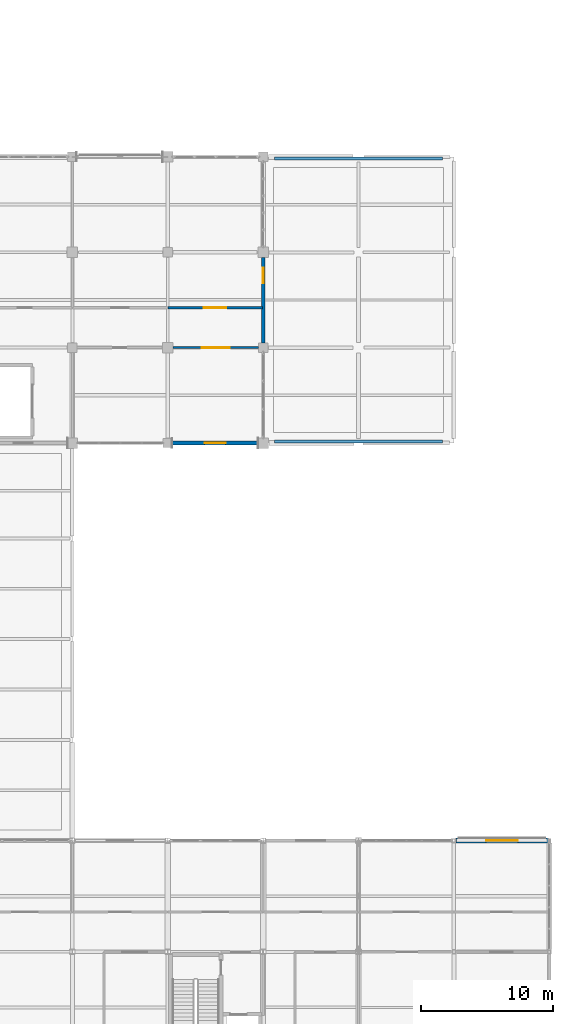
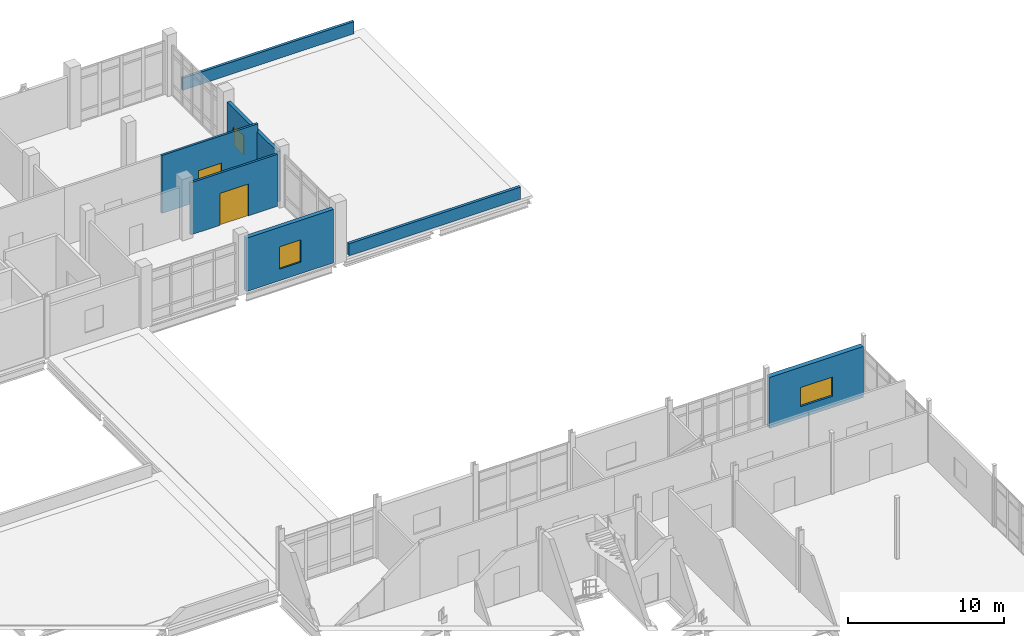
# One storey, part 134 of 153: 7 walls, 3 windows, 2 doors, 5 openings.
"""IFC4 building model written with IfcOpenShell, lengths in metres."""

from ifc_helpers import new_model, si_unit, direction, frame, frame_2d, origin, place, context, subcontext, project, spatial, rectangle, extrude, material, layer, layer_set, type_object, element, fill, save


model = new_model("IFC4")

# Units and contexts
model_context = context("Model", 3, precision=1e-05, world=origin(), true_north=direction((0.0, 1.0)))
body_context = subcontext(model_context, "Body", "Model", "MODEL_VIEW")
ifc_project = project(units=[si_unit("LENGTHUNIT", "METRE"), si_unit("AREAUNIT", "SQUARE_METRE"), si_unit("VOLUMEUNIT", "CUBIC_METRE"), si_unit("PLANEANGLEUNIT", "RADIAN"), si_unit("MASSUNIT", "GRAM", prefix="KILO")], contexts=[model_context])

# Site, building, storey
site_placement = place(None, origin())
site = spatial("IfcSite", under=ifc_project, at=site_placement, CompositionType="ELEMENT")
building_placement = place(site_placement, origin())
building = spatial("IfcBuilding", under=site, at=building_placement, Name="Calvrana Isthmian Art Gallery", CompositionType="ELEMENT")
storey_placement = place(building_placement, frame((0.0, 0.0, 10.199951171875)))
storey = spatial("IfcBuildingStorey", under=building, at=storey_placement, Name="L02", CompositionType="ELEMENT", Elevation=10.199951171875)

# Wall, opening, window
ifc_material_1 = material(Name="Pale Isthmian limestone", Category="masonry")
ifc_layer_1 = layer(ifc_material_1, 0.300048828125, Name="Pale Isthmian limestone")
ifc_layer_set_1 = layer_set([ifc_layer_1], Name="Pale Isthmian limestone")
wall_type_1 = type_object("IfcWallType", Name="EW-LIME-300", PredefinedType="SOLIDWALL", material=ifc_layer_set_1)
wall_1_placement = place(storey_placement, frame((134.0, 76.800048828125, 0.0), z_axis=(0.0, 0.0, 1.0), x_axis=(-1.0, 0.0, 0.0)))
wall_1 = element("IfcWall", 1, at=wall_1_placement, inside=storey, type_object=wall_type_1, Name="Exterior wall EW-122", PredefinedType="SOLIDWALL", context=body_context, shape_type="SweptSolid", body=[
    extrude(rectangle(XDim=6.449951171875, YDim=0.300048828125, at=frame_2d((3.22509765625, 0.0))), origin(), (0.0, 0.0, 1.0), 4.18408203125),
])
opening_1_placement = place(wall_1_placement, frame((2.425048828125, 0.0, 0.89990234375)))
opening_1 = element("IfcOpeningElement", 2, at=opening_1_placement, cuts=wall_1, Name="Opening W-080", PredefinedType="OPENING", context=body_context, shape_type="SweptSolid", body=[
    extrude(rectangle(XDim=1.60009765625, YDim=1.75, at=frame_2d((0.800048828125, 0.875))), frame((0.0, 0.16015625, 0.0), z_axis=(0.0, -1.0, 0.0), x_axis=(1.0, 0.0, 0.0)), (0.0, 0.0, 1.0), 0.320556640625),
])
ifc_material_2 = material(Name="Low-E laminated solar glass", Category="glass")
window_type_1 = type_object("IfcWindowType", Name="WN-G10", PartitioningType="SINGLE_PANEL", PredefinedType="WINDOW", material=ifc_material_2)
window_1_placement = place(opening_1_placement, origin())
window_1 = element("IfcWindow", 3, at=window_1_placement, inside=storey, type_object=window_type_1, Name="Facade window W-080", OverallHeight=1.75, OverallWidth=1.60009765625, PartitioningType="SINGLE_PANEL", PredefinedType="WINDOW", context=body_context, shape_type="SweptSolid", body=[
    extrude(rectangle(XDim=1.60009765625, YDim=1.75, at=frame_2d((0.800048828125, 0.875))), frame((0.0, 0.030029296875, 0.0), z_axis=(0.0, -1.0, 0.0), x_axis=(1.0, 0.0, 0.0)), (0.0, 0.0, 1.0), 0.06005859375),
])
fill(opening_1, window_1)

ifc_material_3 = material(Name="Precast concrete C40/50", Category="concrete")
ifc_layer_2 = layer(ifc_material_3, 0.35009765625, Name="Precast concrete C40/50")
ifc_layer_set_2 = layer_set([ifc_layer_2], Name="Precast concrete C40/50")
wall_type_2 = type_object("IfcWallType", Name="EW-PREC-350", PredefinedType="SOLIDWALL", material=ifc_layer_set_2)
wall_2_placement = place(storey_placement, frame((148.952392578125, 46.800048828125, 0.0), z_axis=(0.0, 0.0, 1.0), x_axis=(1.0, 0.0, 0.0)))
wall_2 = element("IfcWall", 4, at=wall_2_placement, inside=storey, type_object=wall_type_2, Name="Exterior wall EW-120", PredefinedType="SOLIDWALL", context=body_context, shape_type="SweptSolid", body=[
    extrude(rectangle(XDim=6.946044921875, YDim=0.35009765625, at=frame_2d((3.47314453125, 0.0))), origin(), (0.0, 0.0, 1.0), 3.990966796875),
])
opening_2_placement = place(wall_2_placement, frame((2.27294921875, 0.0, 0.89990234375)))
opening_2 = element("IfcOpeningElement", 5, at=opening_2_placement, cuts=wall_2, Name="Opening W-078", PredefinedType="OPENING", context=body_context, shape_type="SweptSolid", body=[
    extrude(rectangle(XDim=2.39990234375, YDim=1.5, at=frame_2d((1.199951171875, 0.75))), frame((0.0, 0.185302734375, 0.0), z_axis=(0.0, -1.0, 0.0), x_axis=(1.0, 0.0, 0.0)), (0.0, 0.0, 1.0), 0.37060546875),
])
window_type_2 = type_object("IfcWindowType", Name="WN-G08", PartitioningType="DOUBLE_PANEL_VERTICAL", PredefinedType="WINDOW", material=ifc_material_2)
window_2_placement = place(opening_2_placement, origin())
window_2 = element("IfcWindow", 6, at=window_2_placement, inside=storey, type_object=window_type_2, Name="Facade window W-078", OverallHeight=1.5, OverallWidth=2.39990234375, PartitioningType="SINGLE_PANEL", PredefinedType="WINDOW", context=body_context, shape_type="SweptSolid", body=[
    extrude(rectangle(XDim=2.39990234375, YDim=1.5, at=frame_2d((1.199951171875, 0.75))), frame((0.0, 0.030029296875, 0.0), z_axis=(0.0, -1.0, 0.0), x_axis=(1.0, 0.0, 0.0)), (0.0, 0.0, 1.0), 0.06005859375),
])
fill(opening_2, window_2)

ifc_material_4 = material(Name="Polychrome glazed terracotta", Category="masonry")
ifc_layer_3 = layer(ifc_material_4, 0.25, Name="Polychrome glazed terracotta")
ifc_layer_set_3 = layer_set([ifc_layer_3], Name="Polychrome glazed terracotta")
wall_type_3 = type_object("IfcWallType", Name="EW-TERRA-250", PredefinedType="SOLIDWALL", material=ifc_layer_set_3)
wall_3_placement = place(storey_placement, frame((134.39990234375, 90.800048828125, 0.0), z_axis=(0.0, 0.0, 1.0), x_axis=(0.0, -1.0, 0.0)))
wall_3 = element("IfcWall", 7, at=wall_3_placement, inside=storey, type_object=wall_type_3, Name="Exterior wall EW-139", PredefinedType="SOLIDWALL", context=body_context, shape_type="SweptSolid", body=[
    extrude(rectangle(XDim=6.449951171875, YDim=0.25, at=frame_2d((3.22509765625, 0.0))), origin(), (0.0, 0.0, 1.0), 3.927978515625),
])
opening_3_placement = place(wall_3_placement, frame((0.75, 0.0, 0.89990234375)))
opening_3 = element("IfcOpeningElement", 8, at=opening_3_placement, cuts=wall_3, Name="Opening W-096", PredefinedType="OPENING", context=body_context, shape_type="SweptSolid", body=[
    extrude(rectangle(XDim=1.199951171875, YDim=1.5, at=frame_2d((0.60009765625, 0.75))), frame((0.0, 0.13525390625, 0.0), z_axis=(0.0, -1.0, 0.0), x_axis=(1.0, 0.0, 0.0)), (0.0, 0.0, 1.0), 0.2705078125),
])
window_type_3 = type_object("IfcWindowType", Name="WN-G01", PartitioningType="SINGLE_PANEL", PredefinedType="WINDOW", material=ifc_material_2)
window_3_placement = place(opening_3_placement, origin())
window_3 = element("IfcWindow", 9, at=window_3_placement, inside=storey, type_object=window_type_3, Name="Facade window W-096", OverallHeight=1.5, OverallWidth=1.199951171875, PartitioningType="SINGLE_PANEL", PredefinedType="WINDOW", context=body_context, shape_type="SweptSolid", body=[
    extrude(rectangle(XDim=1.199951171875, YDim=1.5, at=frame_2d((0.60009765625, 0.75))), frame((0.0, 0.030029296875, 0.0), z_axis=(0.0, -1.0, 0.0), x_axis=(1.0, 0.0, 0.0)), (0.0, 0.0, 1.0), 0.06005859375),
])
fill(opening_3, window_3)

# Wall, opening, door
ifc_material_5 = material(Name="Acoustic gypsum ceiling", Category="gypsum")
ifc_layer_4 = layer(ifc_material_5, 0.159912109375, Name="Acoustic gypsum ceiling")
ifc_layer_set_4 = layer_set([ifc_layer_4], Name="Acoustic gypsum ceiling")
wall_type_4 = type_object("IfcWallType", Name="PW-GAL-160", PredefinedType="PARTITIONING", material=ifc_layer_set_4)
wall_4_placement = place(storey_placement, frame((127.614990234375, 84.0, 0.0), z_axis=(0.0, 0.0, 1.0), x_axis=(1.0, 0.0, 0.0)))
wall_4 = element("IfcWall", 10, at=wall_4_placement, inside=storey, type_object=wall_type_4, Name="Interior partition PW-496", PredefinedType="PARTITIONING", context=body_context, shape_type="SweptSolid", body=[
    extrude(rectangle(XDim=6.419921875, YDim=0.159912109375, at=frame_2d((3.2099609375, 0.0))), origin(), (0.0, 0.0, 1.0), 4.078125),
])
opening_4_placement = place(wall_4_placement, frame((2.159912109375, 0.0, 0.0)))
opening_4 = element("IfcOpeningElement", 11, at=opening_4_placement, cuts=wall_4, Name="Opening D-453", PredefinedType="OPENING", context=body_context, shape_type="SweptSolid", body=[
    extrude(rectangle(XDim=2.10009765625, YDim=2.5, at=frame_2d((1.050048828125, 1.25))), frame((0.0, 0.09033203125, 0.0), z_axis=(0.0, -1.0, 0.0), x_axis=(1.0, 0.0, 0.0)), (0.0, 0.0, 1.0), 0.180419921875),
])
ifc_material_6 = material(Name="Timber gallery flooring", Category="wood")
door_type_1 = type_object("IfcDoorType", Name="DR-GAL-2100", OperationType="DOUBLE_DOOR_SINGLE_SWING", PredefinedType="DOOR", material=ifc_material_6)
door_1_placement = place(opening_4_placement, origin())
door_1 = element("IfcDoor", 12, at=door_1_placement, inside=storey, type_object=door_type_1, Name="Interior door D-453", OperationType="DOUBLE_DOOR_SINGLE_SWING", OverallHeight=2.5, OverallWidth=2.10009765625, PredefinedType="DOOR", context=body_context, shape_type="SweptSolid", body=[
    extrude(rectangle(XDim=2.10009765625, YDim=2.5, at=frame_2d((1.050048828125, 1.25))), frame((0.0, 0.02490234375, 0.0), z_axis=(0.0, -1.0, 0.0), x_axis=(1.0, 0.0, 0.0)), (0.0, 0.0, 1.0), 0.050048828125),
])
fill(opening_4, door_1)

wall_5_placement = place(storey_placement, frame((127.2099609375, 87.010009765625, 0.0), z_axis=(0.0, 0.0, 1.0), x_axis=(1.0, 0.0, 0.0)))
wall_5 = element("IfcWall", 13, at=wall_5_placement, inside=storey, type_object=wall_type_4, Name="Interior partition PW-501", PredefinedType="PARTITIONING", context=body_context, shape_type="SweptSolid", body=[
    extrude(rectangle(XDim=7.130126953125, YDim=0.159912109375, at=frame_2d((3.56494140625, 0.0))), origin(), (0.0, 0.0, 1.0), 4.5400390625),
])
opening_5_placement = place(wall_5_placement, frame((2.715087890625, 0.0, 0.0)))
opening_5 = element("IfcOpeningElement", 14, at=opening_5_placement, cuts=wall_5, Name="Opening D-456", PredefinedType="OPENING", context=body_context, shape_type="SweptSolid", body=[
    extrude(rectangle(XDim=1.699951171875, YDim=2.39990234375, at=frame_2d((0.85009765625, 1.199951171875))), frame((0.0, 0.09033203125, 0.0), z_axis=(0.0, -1.0, 0.0), x_axis=(1.0, 0.0, 0.0)), (0.0, 0.0, 1.0), 0.180419921875),
])
door_type_2 = type_object("IfcDoorType", Name="DR-GAL-1700", OperationType="DOUBLE_DOOR_SINGLE_SWING", PredefinedType="DOOR", material=ifc_material_6)
door_2_placement = place(opening_5_placement, origin())
door_2 = element("IfcDoor", 15, at=door_2_placement, inside=storey, type_object=door_type_2, Name="Interior door D-456", OperationType="DOUBLE_DOOR_SINGLE_SWING", OverallHeight=2.39990234375, OverallWidth=1.699951171875, PredefinedType="DOOR", context=body_context, shape_type="SweptSolid", body=[
    extrude(rectangle(XDim=1.699951171875, YDim=2.39990234375, at=frame_2d((0.85009765625, 1.199951171875))), frame((0.0, 0.02490234375, 0.0), z_axis=(0.0, -1.0, 0.0), x_axis=(1.0, 0.0, 0.0)), (0.0, 0.0, 1.0), 0.050048828125),
])
fill(opening_5, door_2)

# Walls
ifc_layer_5 = layer(ifc_material_1, 0.199951171875, Name="Pale Isthmian limestone")
ifc_layer_set_5 = layer_set([ifc_layer_5], Name="Pale Isthmian limestone")
wall_type_5 = type_object("IfcWallType", Name="WL-PARA-200", PredefinedType="PARAPET", material=ifc_layer_set_5)
for number, where, z_axis, x_axis, name in (
    (16, (135.25, 76.919921875, 0.0), (0.0, 0.0, 1.0), (1.0, 0.0, 0.0), "Roof parapet WP-24"),
    (17, (135.25, 98.280029296875, 0.0), (0.0, 0.0, 1.0), (1.0, 0.0, 0.0), "Roof parapet WP-25"),
):
    element("IfcWall", number, at=place(storey_placement, frame(where, z_axis=z_axis, x_axis=x_axis)), inside=storey, type_object=wall_type_5, Name=name, PredefinedType="PARAPET", context=body_context, shape_type="SweptSolid", body=[
        extrude(rectangle(XDim=12.699951171875, YDim=0.199951171875, at=frame_2d((6.35009765625, 0.0))), origin(), (0.0, 0.0, 1.0), 0.949951171875),
    ])

save(model, "model.ifc")
